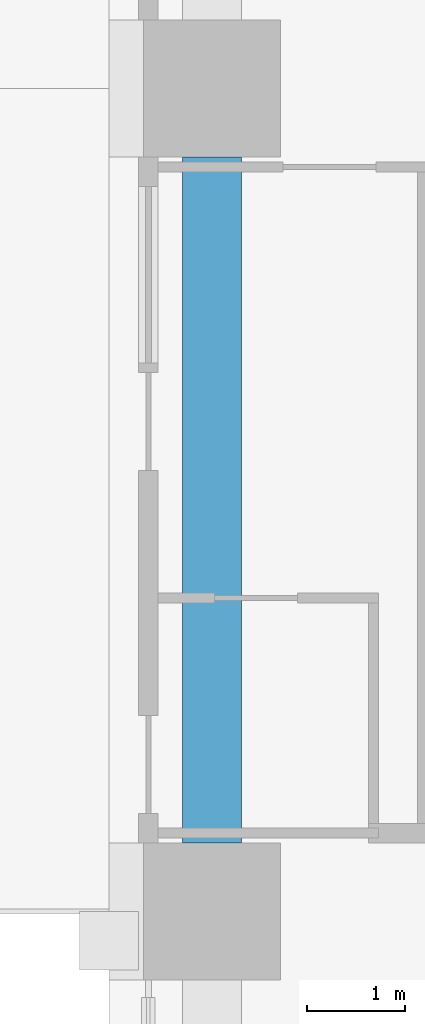
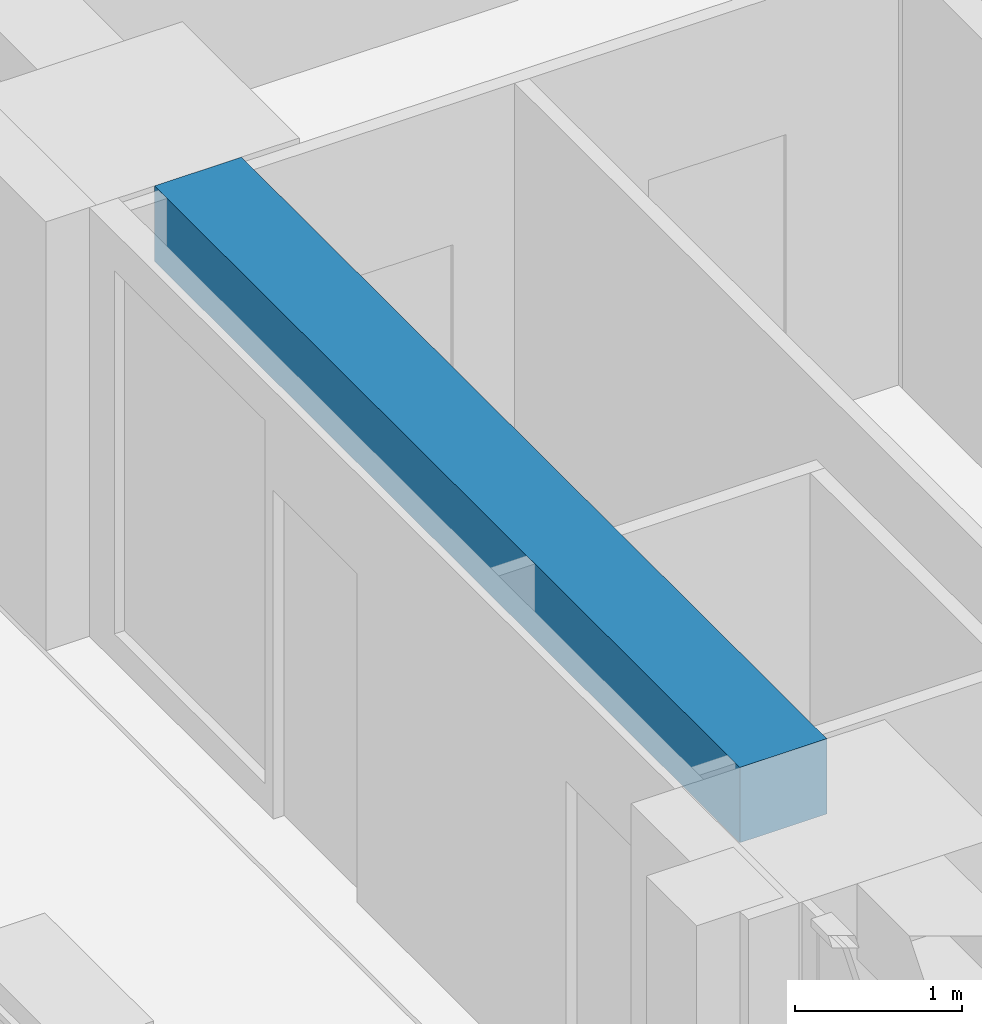
# One storey, part 3 of 17: 1 beam.
"""IFC4 building model written with IfcOpenShell, lengths in metres."""

from ifc_helpers import new_model, si_unit, direction, frame, origin, origin_2d, place, context, subcontext, project, spatial, rectangle, extrude, material, material_profile, profile_set, type_object, element, save


model = new_model("IFC4")

# Units and contexts
model_context = context("Model", 3, precision=1e-05, world=origin(), true_north=direction((0.0, 1.0)))
body_context = subcontext(model_context, "Body", "Model", "MODEL_VIEW")
ifc_project = project(units=[si_unit("LENGTHUNIT", "METRE"), si_unit("AREAUNIT", "SQUARE_METRE"), si_unit("VOLUMEUNIT", "CUBIC_METRE"), si_unit("PLANEANGLEUNIT", "RADIAN"), si_unit("MASSUNIT", "GRAM", prefix="KILO")], contexts=[model_context])

# Site, building, storey
site_placement = place(None, origin())
site = spatial("IfcSite", under=ifc_project, at=site_placement, CompositionType="ELEMENT")
building_placement = place(site_placement, origin())
building = spatial("IfcBuilding", under=site, at=building_placement, Name="Vermilion Ogive Tower", CompositionType="ELEMENT")
storey_placement = place(building_placement, frame((0.0, 0.0, 58.64990234375)))
storey = spatial("IfcBuildingStorey", under=building, at=storey_placement, Name="L13", CompositionType="ELEMENT", Elevation=58.64990234375)

# Beam
ifc_material = material(Name="Concrete B45", Category="concrete")
ifc_material_profile = material_profile(ifc_material, rectangle(XDim=0.60009765625, YDim=0.550048828125, at=origin_2d()), Name="600 x 550")
ifc_profile_set = profile_set([ifc_material_profile], Name="Concrete B45")
beam_type = type_object("IfcBeamType", Name="Edge beam 600 x 550 B45", PredefinedType="BEAM", material=ifc_profile_set)
beam_placement = place(storey_placement, frame((-25.199951171875, 3.5, 2.85498046875), z_axis=(0.0, -1.0, 0.0), x_axis=(1.0, 0.0, 0.0)))
element("IfcBeam", 1, at=beam_placement, inside=storey, type_object=beam_type, Name="L13-EB-15", PredefinedType="BEAM", context=body_context, shape_type="SweptSolid", body=[
    extrude(rectangle(XDim=0.60009765625, YDim=0.550048828125, at=origin_2d()), origin(), (0.0, 0.0, 1.0), 7.0),
])

save(model, "model.ifc")
